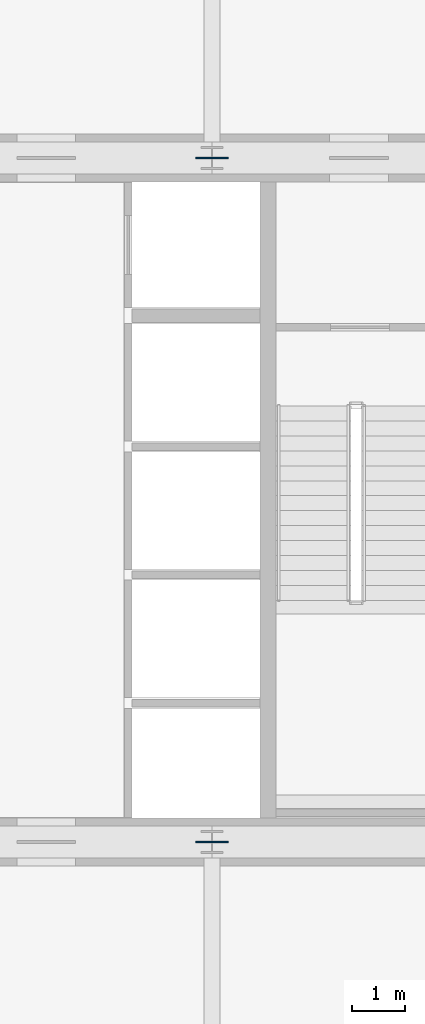
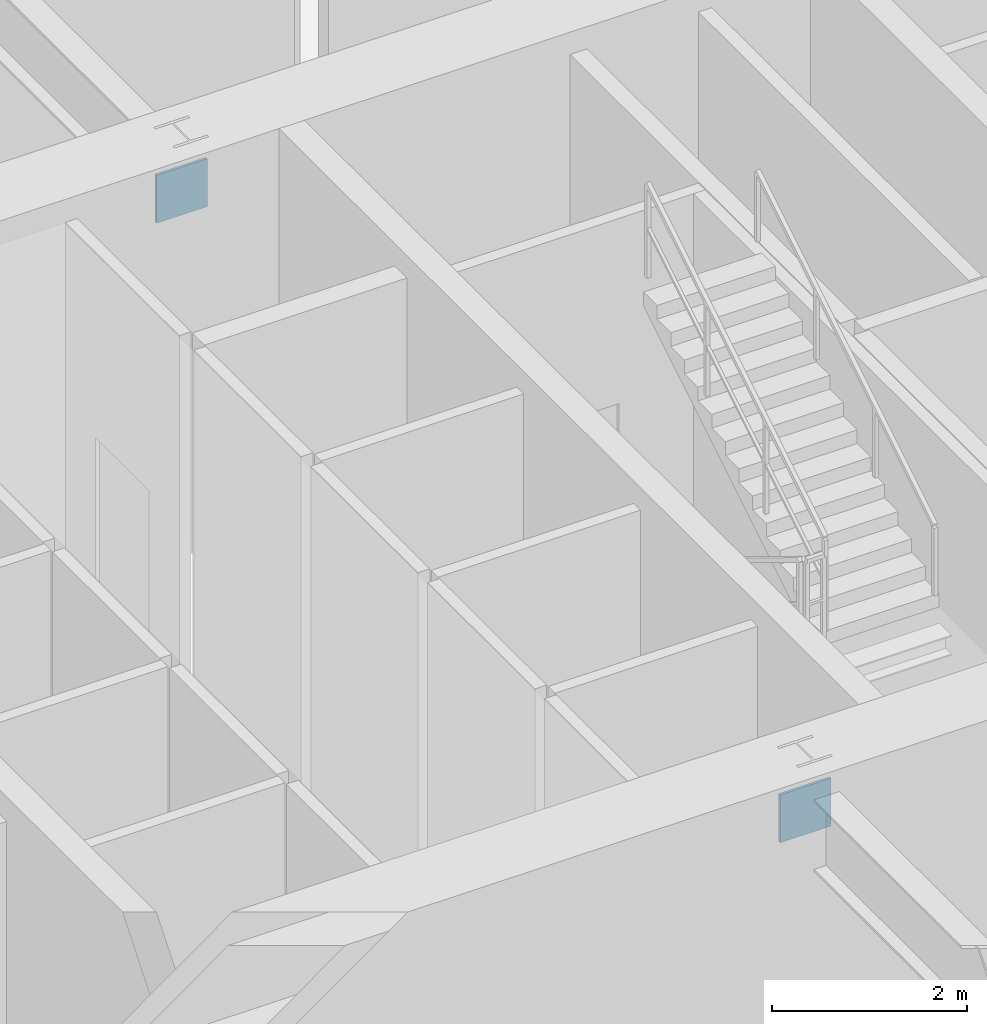
# One storey, part 35 of 37: 2 discrete accessories.
"""IFC4 building model written with IfcOpenShell, lengths in metres."""

from ifc_helpers import new_model, si_unit, direction, frame, origin, origin_2d, place, context, subcontext, project, spatial, rectangle, extrude, source, transform, mapped, material, layer, layer_set, type_object, element, save


model = new_model("IFC4")

# Units and contexts
model_context = context("Model", 3, precision=1e-05, world=origin(), true_north=direction((0.0, 1.0)))
body_context = subcontext(model_context, "Body", "Model", "MODEL_VIEW")
ifc_project = project(units=[si_unit("LENGTHUNIT", "METRE"), si_unit("AREAUNIT", "SQUARE_METRE"), si_unit("VOLUMEUNIT", "CUBIC_METRE"), si_unit("PLANEANGLEUNIT", "RADIAN"), si_unit("MASSUNIT", "GRAM", prefix="KILO"), si_unit("THERMODYNAMICTEMPERATUREUNIT", "KELVIN"), si_unit("POWERUNIT", "WATT")], contexts=[model_context])

# Site, building, storey
site_placement = place(None, origin())
site = spatial("IfcSite", under=ifc_project, at=site_placement, CompositionType="ELEMENT")
building_placement = place(site_placement, origin())
building = spatial("IfcBuilding", under=site, at=building_placement, Name="Yuzanri Waterfront Tower", CompositionType="ELEMENT")
storey_placement = place(building_placement, frame((0.0, 0.0, 5.39990234375)))
storey = spatial("IfcBuildingStorey", under=building, at=storey_placement, Name="L02", CompositionType="ELEMENT", Elevation=5.39990234375)

# Discrete accessories
ifc_material = material(Name="Steel Q355B", Category="steel")
ifc_layer = layer(ifc_material, 0.031982421875)
ifc_layer_set = layer_set([ifc_layer], Name="Steel Q355B")
discrete_accessory_type = type_object("IfcDiscreteAccessoryType", Name="Steel Q355B Core Wall Cast-In Embed Plate 600x600x32", PredefinedType="USERDEFINED", material=ifc_layer_set)
shared_shape = source(origin(), body_context, "Body", "SweptSolid", [
    extrude(rectangle(XDim=0.60009765625, YDim=0.031982421875, at=origin_2d()), origin(), (0.0, 0.0, 1.0), 0.60009765625),
])
for number, where, z_axis, x_axis, name in (
    (1, (37.0, 19.39990234375, 3.77001953125), (0.0, 0.0, 1.0), (1.0, 0.0, 0.0), "Core Wall Cast-In Embed Plate EP-01"),
    (2, (37.0, 32.199951171875, 3.77001953125), (0.0, 0.0, 1.0), (1.0, 0.0, 0.0), "Core Wall Cast-In Embed Plate EP-01"),
):
    element("IfcDiscreteAccessory", number, at=place(storey_placement, frame(where, z_axis=z_axis, x_axis=x_axis)), inside=storey, type_object=discrete_accessory_type, Name=name, ObjectType="CAST-IN EMBED PLATE", PredefinedType="USERDEFINED", context=body_context, shape_type="MappedRepresentation", body=[
        mapped(shared_shape, transform((0.0, 0.0, 0.0), scale=1.0)),
    ])

save(model, "model.ifc")
